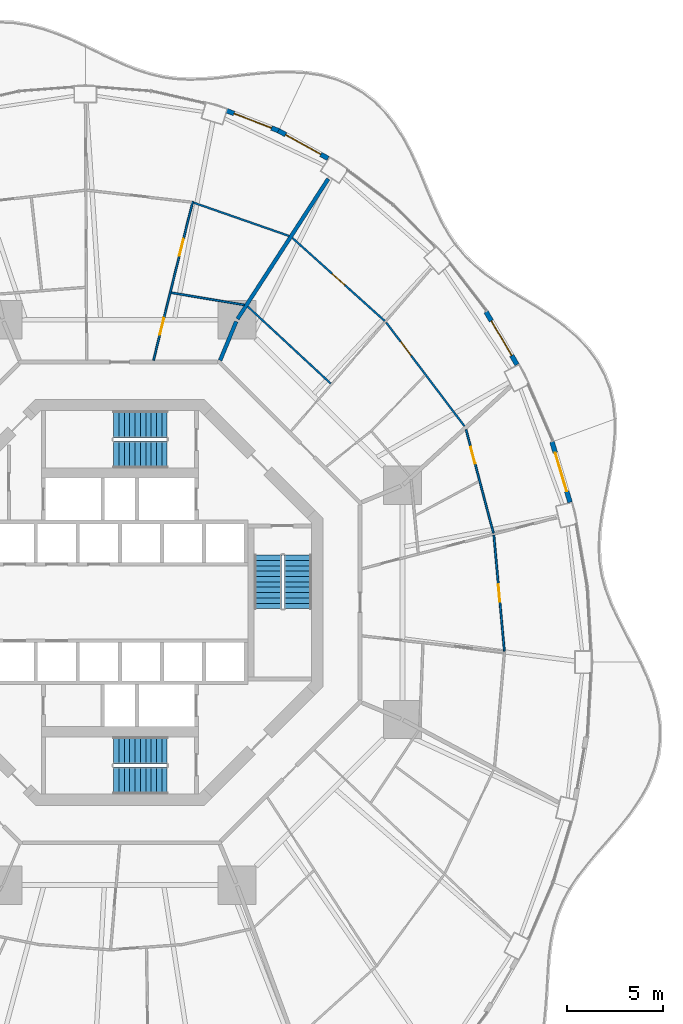
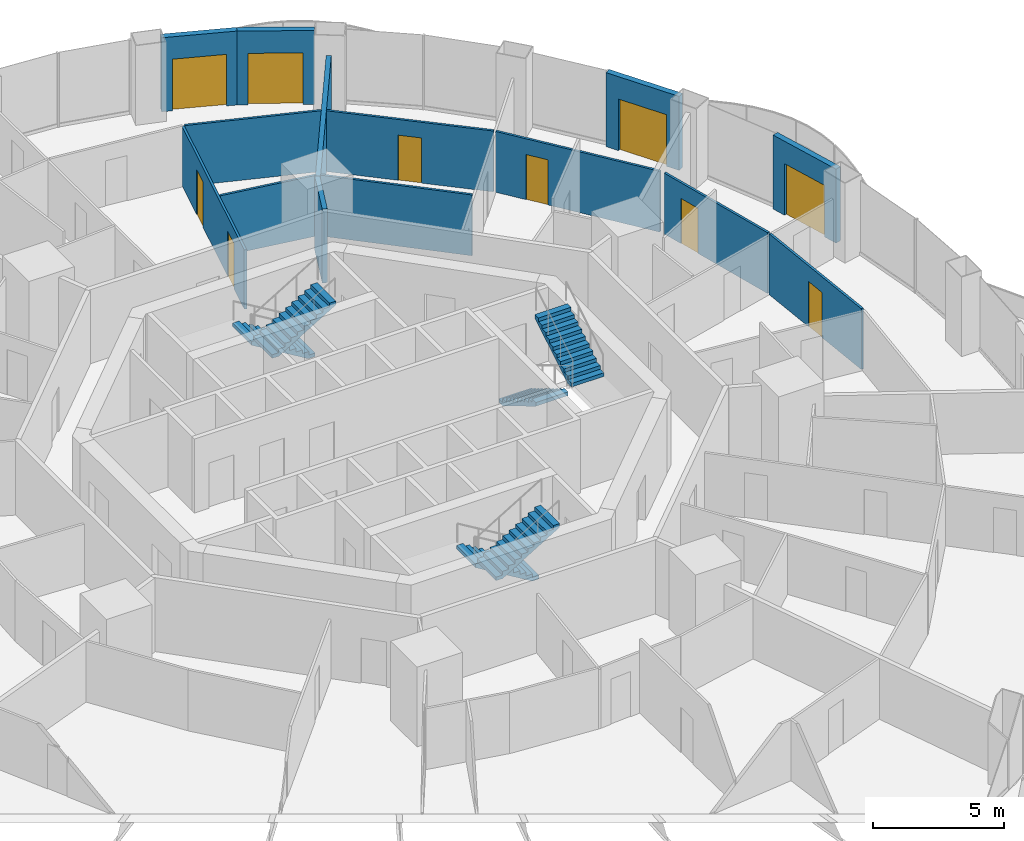
# One storey, part 17 of 20: 14 walls, 10 doors, 6 stair flights, 10 openings, 3 elements without a shape of their own.
"""IFC4 building model written with IfcOpenShell, lengths in metres."""

from ifc_helpers import new_model, si_unit, direction, frame, frame_2d, origin, place, context, subcontext, project, spatial, polyline, rectangle, outline, extrude, material, layer, layer_set, type_object, element, fill, aggregate, save


model = new_model("IFC4")

# Units and contexts
model_context = context("Model", 3, precision=1e-05, world=origin(), true_north=direction((0.0, 1.0)))
body_context = subcontext(model_context, "Body", "Model", "MODEL_VIEW")
ifc_project = project(units=[si_unit("LENGTHUNIT", "METRE"), si_unit("AREAUNIT", "SQUARE_METRE"), si_unit("VOLUMEUNIT", "CUBIC_METRE"), si_unit("PLANEANGLEUNIT", "RADIAN"), si_unit("MASSUNIT", "GRAM", prefix="KILO")], contexts=[model_context])

# Site, building, storey
site_placement = place(None, origin())
site = spatial("IfcSite", under=ifc_project, at=site_placement, CompositionType="ELEMENT")
building_placement = place(site_placement, origin())
building = spatial("IfcBuilding", under=site, at=building_placement, Name="Nagisa Residences", CompositionType="ELEMENT")
storey_placement = place(building_placement, frame((0.0, 0.0, 152.89990234375)))
storey = spatial("IfcBuildingStorey", under=building, at=storey_placement, Name="L38", CompositionType="ELEMENT", Elevation=152.89990234375)

# Walls
ifc_material_1 = material(Name="Gypsum board on steel studs", Category="steel")
ifc_layer_1 = layer(ifc_material_1, 0.199951171875)
ifc_layer_set_1 = layer_set([ifc_layer_1], Name="Apartment compartment wall EI60 200")
wall_type_1 = type_object("IfcWallType", Name="Apartment compartment wall EI60 200", PredefinedType="PARTITIONING", material=ifc_layer_set_1)
wall_1_placement = place(storey_placement, frame((5.24267578125, 12.6572265625, 0.0), z_axis=(0.0, 0.0, 1.0), x_axis=(0.38273085373, 0.923859888513, 0.0)))
element("IfcWall", 1, at=wall_1_placement, inside=storey, type_object=wall_type_1, Name="wall:L38:u02", PredefinedType="PARTITIONING", context=body_context, shape_type="SweptSolid", body=[
    extrude(rectangle(XDim=2.199462890625, YDim=0.199951171875, at=frame_2d((1.099609375, 0.0))), origin(), (0.0, 0.0, 1.0), 3.440185546875),
])
wall_2_placement = place(storey_placement, frame((6.150146484375, 14.823974609375, 0.0), z_axis=(0.0, 0.0, 1.0), x_axis=(0.543695254109, 0.839282711998, 0.0)))
element("IfcWall", 2, at=wall_2_placement, inside=storey, type_object=wall_type_1, Name="wall:L38:u03", PredefinedType="PARTITIONING", context=body_context, shape_type="SweptSolid", body=[
    extrude(rectangle(XDim=8.731201171875, YDim=0.199951171875, at=frame_2d((4.36572265625, 0.0))), origin(), (0.0, 0.0, 1.0), 2.828125),
])

# Wall, opening, door
ifc_material_2 = material(Name="Gypsum board on steel studs", Category="steel")
ifc_layer_2 = layer(ifc_material_2, 0.10009765625)
ifc_layer_set_2 = layer_set([ifc_layer_2], Name="Apartment partition 100")
wall_type_2 = type_object("IfcWallType", Name="Apartment partition 100", PredefinedType="PARTITIONING", material=ifc_layer_set_2)
wall_3_placement = place(storey_placement, frame((20.105712890625, -2.54248046875, 0.0), z_axis=(0.0, 0.0, 1.0), x_axis=(-0.090571896131, 0.995889919434, 0.0)))
wall_3 = element("IfcWall", 3, at=wall_3_placement, inside=storey, type_object=wall_type_2, Name="wall:L38:u22", PredefinedType="PARTITIONING", context=body_context, shape_type="SweptSolid", body=[
    extrude(rectangle(XDim=6.08935546875, YDim=0.10009765625, at=frame_2d((3.044677734375, 0.0))), origin(), (0.0, 0.0, 1.0), 2.828125),
])
opening_1_placement = place(wall_3_placement, frame((2.594482421875, 0.0, 0.0)))
opening_1 = element("IfcOpeningElement", 4, at=opening_1_placement, cuts=wall_3, Name="Opening L38-U14", PredefinedType="OPENING", context=body_context, shape_type="SweptSolid", body=[
    extrude(rectangle(XDim=0.89990234375, YDim=2.10009765625, at=frame_2d((0.449951171875, 1.050048828125))), frame((0.0, 0.06005859375, 0.0), z_axis=(0.0, -1.0, 0.0), x_axis=(1.0, 0.0, 0.0)), (0.0, 0.0, 1.0), 0.1201171875),
])
ifc_material_3 = material(Name="Timber door set", Category="wood")
door_type_1 = type_object("IfcDoorType", Name="Apartment door 900x2100", OperationType="NOTDEFINED", PredefinedType="DOOR", material=ifc_material_3)
door_1_placement = place(opening_1_placement, frame((0.89990234375, 0.0, 0.0), x_axis=(-1.0, 0.0, 0.0)))
door_1 = element("IfcDoor", 5, at=door_1_placement, inside=storey, type_object=door_type_1, Name="Door to family room, Apartment 38B", OperationType="SINGLE_SWING_LEFT", OverallHeight=2.10009765625, OverallWidth=0.89990234375, PredefinedType="DOOR", context=body_context, shape_type="SweptSolid", body=[
    extrude(rectangle(XDim=0.89990234375, YDim=2.10009765625, at=frame_2d((0.449951171875, 1.050048828125))), frame((0.0, 0.02490234375, 0.0), z_axis=(0.0, -1.0, 0.0), x_axis=(1.0, 0.0, 0.0)), (0.0, 0.0, 1.0), 0.050048828125),
])
fill(opening_1, door_1)

wall_4_placement = place(storey_placement, frame((19.536865234375, 3.619873046875, 0.0), z_axis=(0.0, 0.0, 1.0), x_axis=(-0.255909310473, 0.966700793841, 0.0)))
wall_4 = element("IfcWall", 6, at=wall_4_placement, inside=storey, type_object=wall_type_2, Name="wall:L38:u26", PredefinedType="PARTITIONING", context=body_context, shape_type="SweptSolid", body=[
    extrude(rectangle(XDim=5.608642578125, YDim=0.10009765625, at=frame_2d((2.80419921875, 0.0))), origin(), (0.0, 0.0, 1.0), 2.828125),
])
opening_2_placement = place(wall_4_placement, frame((3.768798828125, 0.0, 0.0)))
opening_2 = element("IfcOpeningElement", 7, at=opening_2_placement, cuts=wall_4, Name="Opening L38-U16", PredefinedType="OPENING", context=body_context, shape_type="SweptSolid", body=[
    extrude(rectangle(XDim=0.89990234375, YDim=2.10009765625, at=frame_2d((0.449951171875, 1.050048828125))), frame((0.0, 0.06005859375, 0.0), z_axis=(0.0, -1.0, 0.0), x_axis=(1.0, 0.0, 0.0)), (0.0, 0.0, 1.0), 0.1201171875),
])
door_2_placement = place(opening_2_placement, origin())
door_2 = element("IfcDoor", 8, at=door_2_placement, inside=storey, type_object=door_type_1, Name="Door to en-suite bathroom, Apartment 38B", OperationType="SINGLE_SWING_RIGHT", OverallHeight=2.10009765625, OverallWidth=0.89990234375, PredefinedType="DOOR", context=body_context, shape_type="SweptSolid", body=[
    extrude(rectangle(XDim=0.89990234375, YDim=2.10009765625, at=frame_2d((0.449951171875, 1.050048828125))), frame((0.0, 0.02490234375, 0.0), z_axis=(0.0, -1.0, 0.0), x_axis=(1.0, 0.0, 0.0)), (0.0, 0.0, 1.0), 0.050048828125),
])
fill(opening_2, door_2)

wall_5_placement = place(storey_placement, frame((18.015869140625, 9.21826171875, 0.0), z_axis=(0.0, 0.0, 1.0), x_axis=(-0.602406473922, 0.798189476363, 0.0)))
wall_5 = element("IfcWall", 9, at=wall_5_placement, inside=storey, type_object=wall_type_2, Name="wall:L38:u29", PredefinedType="PARTITIONING", context=body_context, shape_type="SweptSolid", body=[
    extrude(rectangle(XDim=6.793701171875, YDim=0.10009765625, at=frame_2d((3.39697265625, 0.0))), origin(), (0.0, 0.0, 1.0), 2.828125),
])
opening_3_placement = place(wall_5_placement, frame((4.6328125, 0.0, 0.0)))
opening_3 = element("IfcOpeningElement", 10, at=opening_3_placement, cuts=wall_5, Name="Opening L38-U22", PredefinedType="OPENING", context=body_context, shape_type="SweptSolid", body=[
    extrude(rectangle(XDim=0.89990234375, YDim=2.10009765625, at=frame_2d((0.449951171875, 1.050048828125))), frame((0.0, 0.06005859375, 0.0), z_axis=(0.0, -1.0, 0.0), x_axis=(1.0, 0.0, 0.0)), (0.0, 0.0, 1.0), 0.1201171875),
])
door_3_placement = place(opening_3_placement, frame((0.89990234375, 0.0, 0.0), x_axis=(-1.0, 0.0, 0.0)))
door_3 = element("IfcDoor", 11, at=door_3_placement, inside=storey, type_object=door_type_1, Name="Door to bedroom, Apartment 38C", OperationType="SINGLE_SWING_LEFT", OverallHeight=2.10009765625, OverallWidth=0.89990234375, PredefinedType="DOOR", context=body_context, shape_type="SweptSolid", body=[
    extrude(rectangle(XDim=0.89990234375, YDim=2.10009765625, at=frame_2d((0.449951171875, 1.050048828125))), frame((0.0, 0.02490234375, 0.0), z_axis=(0.0, -1.0, 0.0), x_axis=(1.0, 0.0, 0.0)), (0.0, 0.0, 1.0), 0.050048828125),
])
fill(opening_3, door_3)

# Wall
wall_6_placement = place(storey_placement, frame((11.029052734375, 11.44287109375, 0.0), z_axis=(0.0, 0.0, 1.0), x_axis=(-0.733113447346, 0.680106369122, 0.0)))
element("IfcWall", 12, at=wall_6_placement, inside=storey, type_object=wall_type_2, Name="wall:L38:u33", PredefinedType="PARTITIONING", context=body_context, shape_type="SweptSolid", body=[
    extrude(rectangle(XDim=5.923095703125, YDim=0.10009765625, at=frame_2d((2.96142578125, 0.0))), origin(), (0.0, 0.0, 1.0), 2.828125),
])

# Wall, opening, door
wall_7_placement = place(storey_placement, frame((13.856201171875, 14.71435546875, 0.0), z_axis=(0.0, 0.0, 1.0), x_axis=(-0.743799395746, 0.668402916577, 0.0)))
wall_7 = element("IfcWall", 13, at=wall_7_placement, inside=storey, type_object=wall_type_2, Name="wall:L38:u34", PredefinedType="PARTITIONING", context=body_context, shape_type="SweptSolid", body=[
    extrude(rectangle(XDim=6.508544921875, YDim=0.10009765625, at=frame_2d((3.25439453125, 0.0))), origin(), (0.0, 0.0, 1.0), 2.828125),
])
opening_4_placement = place(wall_7_placement, frame((2.80419921875, 0.0, 0.0)))
opening_4 = element("IfcOpeningElement", 14, at=opening_4_placement, cuts=wall_7, Name="Opening L38-U23", PredefinedType="OPENING", context=body_context, shape_type="SweptSolid", body=[
    extrude(rectangle(XDim=0.89990234375, YDim=2.10009765625, at=frame_2d((0.449951171875, 1.050048828125))), frame((0.0, 0.06005859375, 0.0), z_axis=(0.0, -1.0, 0.0), x_axis=(1.0, 0.0, 0.0)), (0.0, 0.0, 1.0), 0.1201171875),
])
door_4_placement = place(opening_4_placement, frame((0.89990234375, 0.0, 0.0), x_axis=(-1.0, 0.0, 0.0)))
door_4 = element("IfcDoor", 15, at=door_4_placement, inside=storey, type_object=door_type_1, Name="Door to master bedroom, Apartment 38C", OperationType="SINGLE_SWING_RIGHT", OverallHeight=2.10009765625, OverallWidth=0.89990234375, PredefinedType="DOOR", context=body_context, shape_type="SweptSolid", body=[
    extrude(rectangle(XDim=0.89990234375, YDim=2.10009765625, at=frame_2d((0.449951171875, 1.050048828125))), frame((0.0, 0.02490234375, 0.0), z_axis=(0.0, -1.0, 0.0), x_axis=(1.0, 0.0, 0.0)), (0.0, 0.0, 1.0), 0.050048828125),
])
fill(opening_4, door_4)

# Walls
wall_8_placement = place(storey_placement, frame((6.5146484375, 15.5556640625, 0.0), z_axis=(0.0, 0.0, 1.0), x_axis=(-0.986271328884, 0.16513287323, 0.0)))
element("IfcWall", 16, at=wall_8_placement, inside=storey, type_object=wall_type_2, Name="wall:L38:u35", PredefinedType="PARTITIONING", context=body_context, shape_type="SweptSolid", body=[
    extrude(rectangle(XDim=3.8837890625, YDim=0.10009765625, at=frame_2d((1.94189453125, 0.0))), origin(), (0.0, 0.0, 1.0), 2.828125),
])
wall_9_placement = place(storey_placement, frame((8.84619140625, 19.16455078125, 0.0), z_axis=(0.0, 0.0, 1.0), x_axis=(-0.944186503813, 0.329411362915, 0.0)))
element("IfcWall", 17, at=wall_9_placement, inside=storey, type_object=wall_type_2, Name="wall:L38:u36", PredefinedType="PARTITIONING", context=body_context, shape_type="SweptSolid", body=[
    extrude(rectangle(XDim=5.293212890625, YDim=0.10009765625, at=frame_2d((2.646484375, 0.0))), origin(), (0.0, 0.0, 1.0), 2.828125),
])

# Wall, openings, doors
wall_10_placement = place(storey_placement, frame((1.7587890625, 12.661865234375, 0.0), z_axis=(0.0, 0.0, 1.0), x_axis=(0.239964949221, 0.970781552743, 0.0)))
wall_10 = element("IfcWall", 18, at=wall_10_placement, inside=storey, type_object=wall_type_2, Name="wall:L38:u37", PredefinedType="PARTITIONING", context=body_context, shape_type="SweptSolid", body=[
    extrude(rectangle(XDim=8.5615234375, YDim=0.10009765625, at=frame_2d((4.28076171875, 0.0))), origin(), (0.0, 0.0, 1.0), 2.756103515625),
])
opening_5_placement = place(wall_10_placement, frame((1.375, 0.0, 0.0)))
opening_5 = element("IfcOpeningElement", 19, at=opening_5_placement, cuts=wall_10, Name="Opening L38-U25", PredefinedType="OPENING", context=body_context, shape_type="SweptSolid", body=[
    extrude(rectangle(XDim=0.89990234375, YDim=2.10009765625, at=frame_2d((0.449951171875, 1.050048828125))), frame((0.0, 0.06005859375, 0.0), z_axis=(0.0, -1.0, 0.0), x_axis=(1.0, 0.0, 0.0)), (0.0, 0.0, 1.0), 0.1201171875),
])
opening_6_placement = place(wall_10_placement, frame((5.630859375, 0.0, 0.0)))
opening_6 = element("IfcOpeningElement", 20, at=opening_6_placement, cuts=wall_10, Name="Opening L38-U27", PredefinedType="OPENING", context=body_context, shape_type="SweptSolid", body=[
    extrude(rectangle(XDim=0.89990234375, YDim=2.10009765625, at=frame_2d((0.449951171875, 1.050048828125))), frame((0.0, 0.06005859375, 0.0), z_axis=(0.0, -1.0, 0.0), x_axis=(1.0, 0.0, 0.0)), (0.0, 0.0, 1.0), 0.1201171875),
])
door_5_placement = place(opening_5_placement, frame((0.89990234375, 0.0, 0.0), x_axis=(-1.0, 0.0, 0.0)))
door_5 = element("IfcDoor", 21, at=door_5_placement, inside=storey, type_object=door_type_1, Name="Door to family bathroom, Apartment 38D", OperationType="SINGLE_SWING_RIGHT", OverallHeight=2.10009765625, OverallWidth=0.89990234375, PredefinedType="DOOR", context=body_context, shape_type="SweptSolid", body=[
    extrude(rectangle(XDim=0.89990234375, YDim=2.10009765625, at=frame_2d((0.449951171875, 1.050048828125))), frame((0.0, 0.02490234375, 0.0), z_axis=(0.0, -1.0, 0.0), x_axis=(1.0, 0.0, 0.0)), (0.0, 0.0, 1.0), 0.050048828125),
])
fill(opening_5, door_5)
door_6_placement = place(opening_6_placement, frame((0.89990234375, 0.0, 0.0), x_axis=(-1.0, 0.0, 0.0)))
door_6 = element("IfcDoor", 22, at=door_6_placement, inside=storey, type_object=door_type_1, Name="Door to kitchen, Apartment 38D", OperationType="SINGLE_SWING_RIGHT", OverallHeight=2.10009765625, OverallWidth=0.89990234375, PredefinedType="DOOR", context=body_context, shape_type="SweptSolid", body=[
    extrude(rectangle(XDim=0.89990234375, YDim=2.10009765625, at=frame_2d((0.449951171875, 1.050048828125))), frame((0.0, 0.02490234375, 0.0), z_axis=(0.0, -1.0, 0.0), x_axis=(1.0, 0.0, 0.0)), (0.0, 0.0, 1.0), 0.050048828125),
])
fill(opening_6, door_6)

# Wall, opening, door
ifc_material_4 = material(Name="Precast concrete C40/50", Category="concrete")
ifc_layer_3 = layer(ifc_material_4, 0.25)
ifc_layer_set_3 = layer_set([ifc_layer_3], Name="BALCONY DOOR WALL 250")
wall_type_3 = type_object("IfcWallType", Name="BALCONY DOOR WALL 250", PredefinedType="SOLIDWALL", material=ifc_layer_set_3)
wall_11_placement = place(storey_placement, frame((22.595458984375, 8.401611328125, 0.0), z_axis=(0.0, 0.0, 1.0), x_axis=(0.285842038783, -0.958276749621, 0.0)))
wall_11 = element("IfcWall", 23, at=wall_11_placement, inside=storey, type_object=wall_type_3, Name="wall:L38:bay02", PredefinedType="SOLIDWALL", context=body_context, shape_type="SweptSolid", body=[
    extrude(rectangle(XDim=3.302734375, YDim=0.25, at=frame_2d((1.6513671875, 0.0))), origin(), (0.0, 0.0, 1.0), 3.440185546875),
])
opening_7_placement = place(wall_11_placement, frame((0.6015625, 0.0, 0.0)))
opening_7 = element("IfcOpeningElement", 24, at=opening_7_placement, cuts=wall_11, Name="Opening BD-L38-01", PredefinedType="OPENING", context=body_context, shape_type="SweptSolid", body=[
    extrude(rectangle(XDim=2.10009765625, YDim=2.39990234375, at=frame_2d((1.050048828125, 1.199951171875))), frame((0.0, 0.135009765625, 0.0), z_axis=(0.0, -1.0, 0.0), x_axis=(1.0, 0.0, 0.0)), (0.0, 0.0, 1.0), 0.27001953125),
])
ifc_material_5 = material(Name="Aluminium and clear glass", Category="aluminium")
door_type_2 = type_object("IfcDoorType", Name="BALCONY SLIDING DOOR 2100x2400", OperationType="SLIDING_TO_LEFT", PredefinedType="DOOR", material=ifc_material_5)
door_7_placement = place(opening_7_placement, origin())
door_7 = element("IfcDoor", 25, at=door_7_placement, inside=storey, type_object=door_type_2, Name="door:L38:bay02", OperationType="SLIDING_TO_LEFT", OverallHeight=2.39990234375, OverallWidth=2.10009765625, PredefinedType="DOOR", context=body_context, shape_type="SweptSolid", body=[
    extrude(rectangle(XDim=2.10009765625, YDim=2.39990234375, at=frame_2d((1.050048828125, 1.199951171875))), frame((0.0, 0.02490234375, 0.0), z_axis=(0.0, -1.0, 0.0), x_axis=(1.0, 0.0, 0.0)), (0.0, 0.0, 1.0), 0.050048828125),
])
fill(opening_7, door_7)

wall_12_placement = place(storey_placement, frame((19.143798828125, 15.20068359375, 0.0), z_axis=(0.0, 0.0, 1.0), x_axis=(0.506314982873, -0.862348617508, 0.0)))
wall_12 = element("IfcWall", 26, at=wall_12_placement, inside=storey, type_object=wall_type_3, Name="wall:L38:bay04", PredefinedType="SOLIDWALL", context=body_context, shape_type="SweptSolid", body=[
    extrude(rectangle(XDim=3.20849609375, YDim=0.25, at=frame_2d((1.604248046875, 0.0))), origin(), (0.0, 0.0, 1.0), 3.440185546875),
])
opening_8_placement = place(wall_12_placement, frame((0.55419921875, 0.0, 0.0)))
opening_8 = element("IfcOpeningElement", 27, at=opening_8_placement, cuts=wall_12, Name="Opening BD-L38-02", PredefinedType="OPENING", context=body_context, shape_type="SweptSolid", body=[
    extrude(rectangle(XDim=2.10009765625, YDim=2.39990234375, at=frame_2d((1.050048828125, 1.199951171875))), frame((0.0, 0.135009765625, 0.0), z_axis=(0.0, -1.0, 0.0), x_axis=(1.0, 0.0, 0.0)), (0.0, 0.0, 1.0), 0.27001953125),
])
door_8_placement = place(opening_8_placement, origin())
door_8 = element("IfcDoor", 28, at=door_8_placement, inside=storey, type_object=door_type_2, Name="door:L38:bay04", OperationType="SLIDING_TO_LEFT", OverallHeight=2.39990234375, OverallWidth=2.10009765625, PredefinedType="DOOR", context=body_context, shape_type="SweptSolid", body=[
    extrude(rectangle(XDim=2.10009765625, YDim=2.39990234375, at=frame_2d((1.050048828125, 1.199951171875))), frame((0.0, 0.02490234375, 0.0), z_axis=(0.0, -1.0, 0.0), x_axis=(1.0, 0.0, 0.0)), (0.0, 0.0, 1.0), 0.050048828125),
])
fill(opening_8, door_8)

wall_13_placement = place(storey_placement, frame((8.293212890625, 24.669921875, 0.0), z_axis=(0.0, 0.0, 1.0), x_axis=(0.87206688547, -0.489386705241, 0.0)))
wall_13 = element("IfcWall", 29, at=wall_13_placement, inside=storey, type_object=wall_type_3, Name="wall:L38:bay08", PredefinedType="SOLIDWALL", context=body_context, shape_type="SweptSolid", body=[
    extrude(rectangle(XDim=2.9697265625, YDim=0.25, at=frame_2d((1.48486328125, 0.0))), origin(), (0.0, 0.0, 1.0), 3.440185546875),
])
opening_9_placement = place(wall_13_placement, frame((0.434814453125, 0.0, 0.0)))
opening_9 = element("IfcOpeningElement", 30, at=opening_9_placement, cuts=wall_13, Name="Opening BD-L38-03", PredefinedType="OPENING", context=body_context, shape_type="SweptSolid", body=[
    extrude(rectangle(XDim=2.10009765625, YDim=2.39990234375, at=frame_2d((1.050048828125, 1.199951171875))), frame((0.0, 0.135009765625, 0.0), z_axis=(0.0, -1.0, 0.0), x_axis=(1.0, 0.0, 0.0)), (0.0, 0.0, 1.0), 0.27001953125),
])
door_9_placement = place(opening_9_placement, origin())
door_9 = element("IfcDoor", 31, at=door_9_placement, inside=storey, type_object=door_type_2, Name="door:L38:bay08", OperationType="SLIDING_TO_LEFT", OverallHeight=2.39990234375, OverallWidth=2.10009765625, PredefinedType="DOOR", context=body_context, shape_type="SweptSolid", body=[
    extrude(rectangle(XDim=2.10009765625, YDim=2.39990234375, at=frame_2d((1.050048828125, 1.199951171875))), frame((0.0, 0.02490234375, 0.0), z_axis=(0.0, -1.0, 0.0), x_axis=(1.0, 0.0, 0.0)), (0.0, 0.0, 1.0), 0.050048828125),
])
fill(opening_9, door_9)

wall_14_placement = place(storey_placement, frame((5.58251953125, 25.715576171875, 0.0), z_axis=(0.0, 0.0, 1.0), x_axis=(0.932845344347, -0.360277064952, 0.0)))
wall_14 = element("IfcWall", 32, at=wall_14_placement, inside=storey, type_object=wall_type_3, Name="wall:L38:bay09", PredefinedType="SOLIDWALL", context=body_context, shape_type="SweptSolid", body=[
    extrude(rectangle(XDim=2.92333984375, YDim=0.25, at=frame_2d((1.461669921875, 0.0))), origin(), (0.0, 0.0, 1.0), 3.440185546875),
])
opening_10_placement = place(wall_14_placement, frame((0.41162109375, 0.0, 0.0)))
opening_10 = element("IfcOpeningElement", 33, at=opening_10_placement, cuts=wall_14, Name="Opening BD-L38-04", PredefinedType="OPENING", context=body_context, shape_type="SweptSolid", body=[
    extrude(rectangle(XDim=2.10009765625, YDim=2.39990234375, at=frame_2d((1.050048828125, 1.199951171875))), frame((0.0, 0.135009765625, 0.0), z_axis=(0.0, -1.0, 0.0), x_axis=(1.0, 0.0, 0.0)), (0.0, 0.0, 1.0), 0.27001953125),
])
door_10_placement = place(opening_10_placement, origin())
door_10 = element("IfcDoor", 34, at=door_10_placement, inside=storey, type_object=door_type_2, Name="door:L38:bay09", OperationType="SLIDING_TO_LEFT", OverallHeight=2.39990234375, OverallWidth=2.10009765625, PredefinedType="DOOR", context=body_context, shape_type="SweptSolid", body=[
    extrude(rectangle(XDim=2.10009765625, YDim=2.39990234375, at=frame_2d((1.050048828125, 1.199951171875))), frame((0.0, 0.02490234375, 0.0), z_axis=(0.0, -1.0, 0.0), x_axis=(1.0, 0.0, 0.0)), (0.0, 0.0, 1.0), 0.050048828125),
])
fill(opening_10, door_10)

# Stair, stair flights
ifc_material_6 = material(Name="Concrete C60", Category="concrete")
stair_type = type_object("IfcStairType", Name="Exit stair", PredefinedType="HALF_TURN_STAIR", material=ifc_material_6)
stair_1_placement = place(storey_placement, origin())
stair_1 = element("IfcStair", 35, at=stair_1_placement, inside=storey, type_object=stair_type, Name="L38 Exit stair E", PredefinedType="HALF_TURN_STAIR")
ifc_material_7 = material(Name="Concrete C60", Category="concrete")
stair_flight_type = type_object("IfcStairFlightType", Name="Exit stair flight", PredefinedType="STRAIGHT", material=ifc_material_7)
stair_flight_1_placement = place(storey_placement, frame((7.737060546875, 2.47509765625, 0.0), z_axis=(0.0, 0.0, 1.0), x_axis=(0.0, -1.0, 0.0)))
stair_flight_1 = element("IfcStairFlight", 36, at=stair_flight_1_placement, type_object=stair_flight_type, Name="ST-E flight 1", NumberOfRisers=11, NumberOfTreads=10, PredefinedType="STRAIGHT", RiserHeight=0.168181818, TreadLength=0.28, context=body_context, shape_type="SweptSolid", body=[
    extrude(outline(polyline([(0.0, 0.0), (0.0, 0.168212890625), (0.280029296875, 0.168212890625), (0.280029296875, 0.33642578125), (0.56005859375, 0.33642578125), (0.56005859375, 0.504638671875), (0.840087890625, 0.504638671875), (0.840087890625, 0.672607421875), (1.1201171875, 0.672607421875), (1.1201171875, 0.8408203125), (1.39990234375, 0.8408203125), (1.39990234375, 1.009033203125), (1.679931640625, 1.009033203125), (1.679931640625, 1.17724609375), (1.9599609375, 1.17724609375), (1.9599609375, 1.345458984375), (2.239990234375, 1.345458984375), (2.239990234375, 1.513671875), (2.52001953125, 1.513671875), (2.52001953125, 1.681884765625), (2.800048828125, 1.681884765625), (2.800048828125, 1.85009765625), (2.800048828125, 1.5068359375), (0.291015625, 0.0), (0.0, 0.0)])), frame((0.0, 0.71240234375, 0.0), z_axis=(0.0, -1.0, 0.0), x_axis=(1.0, 0.0, 0.0)), (0.0, 0.0, 1.0), 1.425048828125),
])
stair_flight_2_placement = place(storey_placement, frame((9.31201171875, -0.324951171875, 1.85009765625), z_axis=(0.0, 0.0, 1.0), x_axis=(0.0, 1.0, 0.0)))
stair_flight_2 = element("IfcStairFlight", 37, at=stair_flight_2_placement, type_object=stair_flight_type, Name="ST-E flight 2", NumberOfRisers=11, NumberOfTreads=10, PredefinedType="STRAIGHT", RiserHeight=0.168181818, TreadLength=0.28, context=body_context, shape_type="SweptSolid", body=[
    extrude(outline(polyline([(0.0, 0.0), (0.0, 0.168212890625), (0.280029296875, 0.168212890625), (0.280029296875, 0.33642578125), (0.56005859375, 0.33642578125), (0.56005859375, 0.504638671875), (0.840087890625, 0.504638671875), (0.840087890625, 0.672607421875), (1.1201171875, 0.672607421875), (1.1201171875, 0.8408203125), (1.39990234375, 0.8408203125), (1.39990234375, 1.009033203125), (1.679931640625, 1.009033203125), (1.679931640625, 1.17724609375), (1.9599609375, 1.17724609375), (1.9599609375, 1.345458984375), (2.239990234375, 1.345458984375), (2.239990234375, 1.513671875), (2.52001953125, 1.513671875), (2.52001953125, 1.681884765625), (2.800048828125, 1.681884765625), (2.800048828125, 1.85009765625), (2.800048828125, 1.5068359375), (0.291015625, 0.0), (0.0, 0.0)])), frame((0.0, 0.71240234375, 0.0), z_axis=(0.0, -1.0, 0.0), x_axis=(1.0, 0.0, 0.0)), (0.0, 0.0, 1.0), 1.425048828125),
])
aggregate(stair_1, [stair_flight_1, stair_flight_2])

stair_2_placement = place(storey_placement, origin())
stair_2 = element("IfcStair", 38, at=stair_2_placement, inside=storey, type_object=stair_type, Name="L38 Exit stair N", PredefinedType="HALF_TURN_STAIR")
stair_flight_3_placement = place(storey_placement, frame((2.47509765625, 9.31201171875, 0.0), z_axis=(0.0, 0.0, 1.0), x_axis=(-1.0, 0.0, 0.0)))
stair_flight_3 = element("IfcStairFlight", 39, at=stair_flight_3_placement, type_object=stair_flight_type, Name="ST-N flight 1", NumberOfRisers=11, NumberOfTreads=10, PredefinedType="STRAIGHT", RiserHeight=0.168181818, TreadLength=0.28, context=body_context, shape_type="SweptSolid", body=[
    extrude(outline(polyline([(0.0, 0.0), (0.0, 0.168212890625), (0.280029296875, 0.168212890625), (0.280029296875, 0.33642578125), (0.56005859375, 0.33642578125), (0.56005859375, 0.504638671875), (0.840087890625, 0.504638671875), (0.840087890625, 0.672607421875), (1.1201171875, 0.672607421875), (1.1201171875, 0.8408203125), (1.39990234375, 0.8408203125), (1.39990234375, 1.009033203125), (1.679931640625, 1.009033203125), (1.679931640625, 1.17724609375), (1.9599609375, 1.17724609375), (1.9599609375, 1.345458984375), (2.239990234375, 1.345458984375), (2.239990234375, 1.513671875), (2.52001953125, 1.513671875), (2.52001953125, 1.681884765625), (2.800048828125, 1.681884765625), (2.800048828125, 1.85009765625), (2.800048828125, 1.5068359375), (0.291015625, 0.0), (0.0, 0.0)])), frame((0.0, 0.71240234375, 0.0), z_axis=(0.0, -1.0, 0.0), x_axis=(1.0, 0.0, 0.0)), (0.0, 0.0, 1.0), 1.425048828125),
])
stair_flight_4_placement = place(storey_placement, frame((-0.324951171875, 7.737060546875, 1.85009765625), z_axis=(0.0, 0.0, 1.0), x_axis=(1.0, 0.0, 0.0)))
stair_flight_4 = element("IfcStairFlight", 40, at=stair_flight_4_placement, type_object=stair_flight_type, Name="ST-N flight 2", NumberOfRisers=11, NumberOfTreads=10, PredefinedType="STRAIGHT", RiserHeight=0.168181818, TreadLength=0.28, context=body_context, shape_type="SweptSolid", body=[
    extrude(outline(polyline([(0.0, 0.0), (0.0, 0.168212890625), (0.280029296875, 0.168212890625), (0.280029296875, 0.33642578125), (0.56005859375, 0.33642578125), (0.56005859375, 0.504638671875), (0.840087890625, 0.504638671875), (0.840087890625, 0.672607421875), (1.1201171875, 0.672607421875), (1.1201171875, 0.8408203125), (1.39990234375, 0.8408203125), (1.39990234375, 1.009033203125), (1.679931640625, 1.009033203125), (1.679931640625, 1.17724609375), (1.9599609375, 1.17724609375), (1.9599609375, 1.345458984375), (2.239990234375, 1.345458984375), (2.239990234375, 1.513671875), (2.52001953125, 1.513671875), (2.52001953125, 1.681884765625), (2.800048828125, 1.681884765625), (2.800048828125, 1.85009765625), (2.800048828125, 1.5068359375), (0.291015625, 0.0), (0.0, 0.0)])), frame((0.0, 0.71240234375, 0.0), z_axis=(0.0, -1.0, 0.0), x_axis=(1.0, 0.0, 0.0)), (0.0, 0.0, 1.0), 1.425048828125),
])
aggregate(stair_2, [stair_flight_3, stair_flight_4])

stair_3_placement = place(storey_placement, origin())
stair_3 = element("IfcStair", 41, at=stair_3_placement, inside=storey, type_object=stair_type, Name="L38 Exit stair S", PredefinedType="HALF_TURN_STAIR")
stair_flight_5_placement = place(storey_placement, frame((2.47509765625, -7.737060546875, 0.0), z_axis=(0.0, 0.0, 1.0), x_axis=(-1.0, 0.0, 0.0)))
stair_flight_5 = element("IfcStairFlight", 42, at=stair_flight_5_placement, type_object=stair_flight_type, Name="ST-S flight 1", NumberOfRisers=11, NumberOfTreads=10, PredefinedType="STRAIGHT", RiserHeight=0.168181818, TreadLength=0.28, context=body_context, shape_type="SweptSolid", body=[
    extrude(outline(polyline([(0.0, 0.0), (0.0, 0.168212890625), (0.280029296875, 0.168212890625), (0.280029296875, 0.33642578125), (0.56005859375, 0.33642578125), (0.56005859375, 0.504638671875), (0.840087890625, 0.504638671875), (0.840087890625, 0.672607421875), (1.1201171875, 0.672607421875), (1.1201171875, 0.8408203125), (1.39990234375, 0.8408203125), (1.39990234375, 1.009033203125), (1.679931640625, 1.009033203125), (1.679931640625, 1.17724609375), (1.9599609375, 1.17724609375), (1.9599609375, 1.345458984375), (2.239990234375, 1.345458984375), (2.239990234375, 1.513671875), (2.52001953125, 1.513671875), (2.52001953125, 1.681884765625), (2.800048828125, 1.681884765625), (2.800048828125, 1.85009765625), (2.800048828125, 1.5068359375), (0.291015625, 0.0), (0.0, 0.0)])), frame((0.0, 0.71240234375, 0.0), z_axis=(0.0, -1.0, 0.0), x_axis=(1.0, 0.0, 0.0)), (0.0, 0.0, 1.0), 1.425048828125),
])
stair_flight_6_placement = place(storey_placement, frame((-0.324951171875, -9.31201171875, 1.85009765625), z_axis=(0.0, 0.0, 1.0), x_axis=(1.0, 0.0, 0.0)))
stair_flight_6 = element("IfcStairFlight", 43, at=stair_flight_6_placement, type_object=stair_flight_type, Name="ST-S flight 2", NumberOfRisers=11, NumberOfTreads=10, PredefinedType="STRAIGHT", RiserHeight=0.168181818, TreadLength=0.28, context=body_context, shape_type="SweptSolid", body=[
    extrude(outline(polyline([(0.0, 0.0), (0.0, 0.168212890625), (0.280029296875, 0.168212890625), (0.280029296875, 0.33642578125), (0.56005859375, 0.33642578125), (0.56005859375, 0.504638671875), (0.840087890625, 0.504638671875), (0.840087890625, 0.672607421875), (1.1201171875, 0.672607421875), (1.1201171875, 0.8408203125), (1.39990234375, 0.8408203125), (1.39990234375, 1.009033203125), (1.679931640625, 1.009033203125), (1.679931640625, 1.17724609375), (1.9599609375, 1.17724609375), (1.9599609375, 1.345458984375), (2.239990234375, 1.345458984375), (2.239990234375, 1.513671875), (2.52001953125, 1.513671875), (2.52001953125, 1.681884765625), (2.800048828125, 1.681884765625), (2.800048828125, 1.85009765625), (2.800048828125, 1.5068359375), (0.291015625, 0.0), (0.0, 0.0)])), frame((0.0, 0.71240234375, 0.0), z_axis=(0.0, -1.0, 0.0), x_axis=(1.0, 0.0, 0.0)), (0.0, 0.0, 1.0), 1.425048828125),
])
aggregate(stair_3, [stair_flight_5, stair_flight_6])

save(model, "model.ifc")
